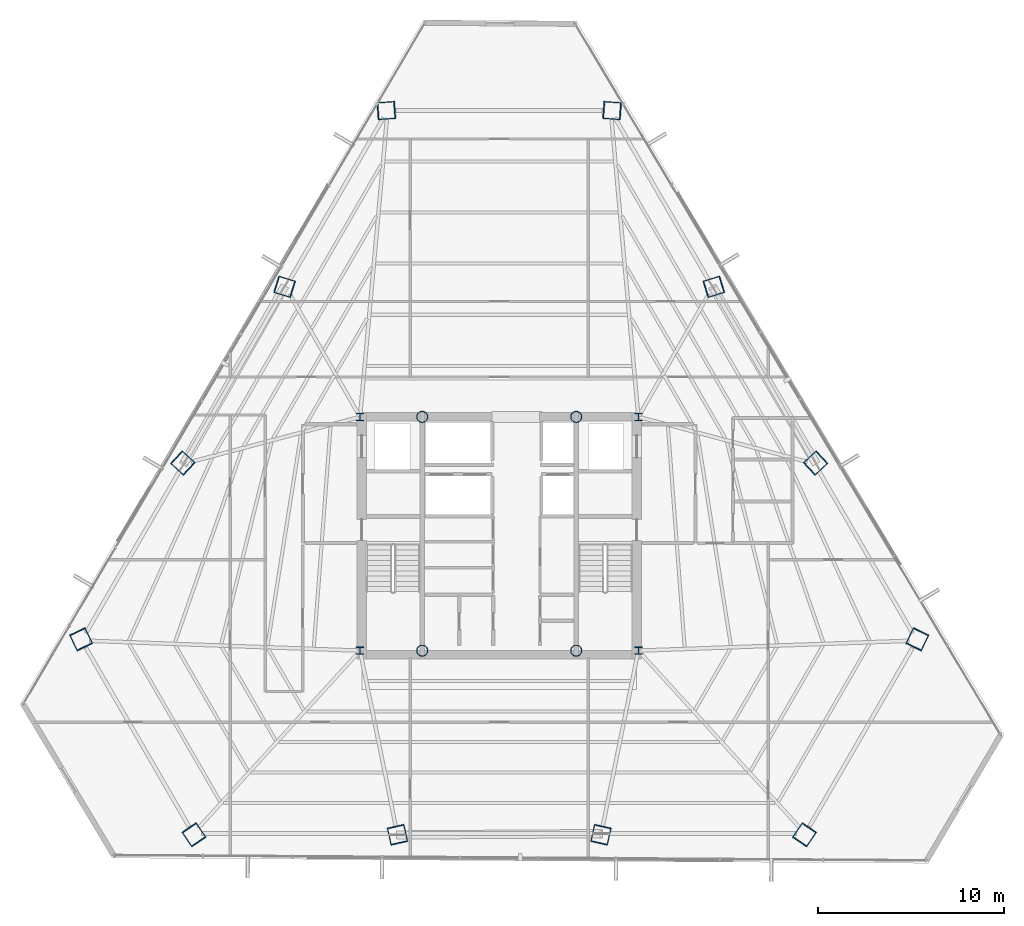
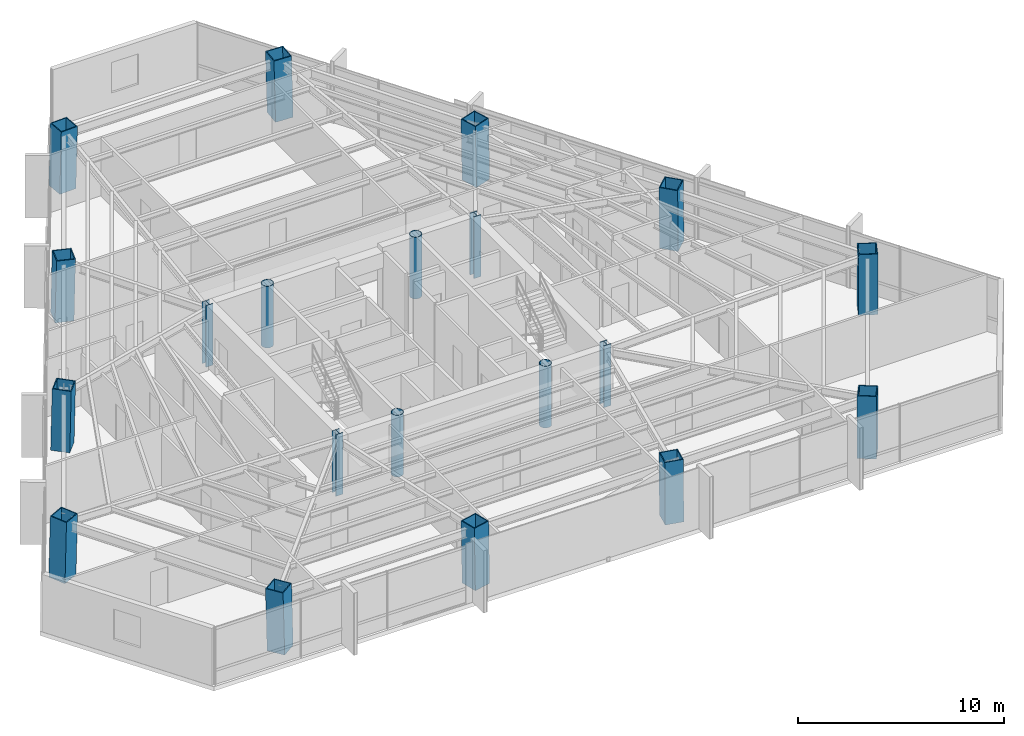
# One storey, part 1 of 41: 20 columns.
"""IFC4 building model written with IfcOpenShell, lengths in metres."""

from ifc_helpers import new_model, si_unit, direction, frame, origin, origin_2d, place, context, subcontext, project, spatial, hollow_rectangle, hollow_circle, i_section, extrude, source, transform, mapped, material, material_profile, profile_set, type_object, type_shapes, element, save


model = new_model("IFC4")

# Units and contexts
model_context = context("Model", 3, precision=1e-05, world=origin(), true_north=direction((0.0, 1.0)))
body_context = subcontext(model_context, "Body", "Model", "MODEL_VIEW")
ifc_project = project(units=[si_unit("LENGTHUNIT", "METRE"), si_unit("AREAUNIT", "SQUARE_METRE"), si_unit("VOLUMEUNIT", "CUBIC_METRE"), si_unit("PLANEANGLEUNIT", "RADIAN"), si_unit("MASSUNIT", "GRAM", prefix="KILO")], contexts=[model_context])

# Site, building, storey
site_placement = place(None, origin())
site = spatial("IfcSite", under=ifc_project, at=site_placement, CompositionType="ELEMENT")
building_placement = place(site_placement, origin())
building = spatial("IfcBuilding", under=site, at=building_placement, Name="Caelisora Broadcast Tower", CompositionType="ELEMENT")
storey_placement = place(building_placement, frame((0.0, 0.0, 162.14990234375)))
storey = spatial("IfcBuildingStorey", under=building, at=storey_placement, Name="L42", CompositionType="ELEMENT", Elevation=162.14990234375)

# Columns
ifc_material_1 = material(Name="Steel Grade 350 (AS/NZS 3679.2)", Category="steel")
ifc_material_profile_1 = material_profile(ifc_material_1, i_section(OverallWidth=0.39990234375, OverallDepth=0.39990234375, WebThickness=0.02001953125, FlangeThickness=0.031982421875, at=origin_2d()), Name="Steel Grade 350 (AS/NZS 3679.2)")
ifc_profile_set_1 = profile_set([ifc_material_profile_1], Name="Steel Grade 350 (AS/NZS 3679.2)")
column_type_1 = type_object("IfcColumnType", Name="CC02", PredefinedType="COLUMN", material=ifc_profile_set_1)
shared_shape_1 = source(origin(), body_context, "Body", "SweptSolid", [
    extrude(i_section(OverallWidth=0.39990234375, OverallDepth=0.39990234375, WebThickness=0.02001953125, FlangeThickness=0.031982421875, at=origin_2d()), origin(), (0.0, 0.0, 1.0), 3.650146484375),
])
type_shapes(column_type_1, [shared_shape_1])
for number, where, z_axis, x_axis, name in (
    (1, (30.5, 17.39990234375, 0.0), (0.0, 0.0, 1.0), (1.0, 0.0, 0.0), "L42 column CC02"),
    (2, (45.5, 17.39990234375, 0.0), (0.0, 0.0, 1.0), (1.0, 0.0, 0.0), "L42 column CC02"),
    (3, (45.5, 30.0, 0.0), (0.0, 0.0, 1.0), (1.0, 0.0, 0.0), "L42 column CC02"),
    (4, (30.5, 30.0, 0.0), (0.0, 0.0, 1.0), (1.0, 0.0, 0.0), "L42 column CC02"),
):
    element("IfcColumn", number, at=place(storey_placement, frame(where, z_axis=z_axis, x_axis=x_axis)), inside=storey, type_object=column_type_1, Name=name, PredefinedType="COLUMN", context=body_context, shape_type="MappedRepresentation", body=[
        mapped(shared_shape_1, transform((0.0, 0.0, 0.0), scale=1.0)),
    ])
ifc_material_2 = material(Name="Steel Grade 350 L15 (AS/NZS 3678)", Category="steel")
ifc_material_profile_2 = material_profile(ifc_material_2, hollow_circle(Radius=0.304931640625, WallThickness=0.02490234375, at=origin_2d()), Name="Steel Grade 350 L15 (AS/NZS 3678)")
ifc_profile_set_2 = profile_set([ifc_material_profile_2], Name="Steel Grade 350 L15 (AS/NZS 3678)")
column_type_2 = type_object("IfcColumnType", Name="CC06", PredefinedType="COLUMN", material=ifc_profile_set_2)
shared_shape_2 = source(origin(), body_context, "Body", "SweptSolid", [
    extrude(hollow_circle(Radius=0.304931640625, WallThickness=0.02490234375, at=origin_2d()), origin(), (0.0, 0.0, 1.0), 3.650146484375),
])
type_shapes(column_type_2, [shared_shape_2])
for number, where, z_axis, x_axis, name in (
    (5, (33.85009765625, 17.39990234375, 0.0), (0.0, 0.0, 1.0), (1.0, 0.0, 0.0), "L42 column CC06"),
    (6, (42.14990234375, 17.39990234375, 0.0), (0.0, 0.0, 1.0), (1.0, 0.0, 0.0), "L42 column CC06"),
    (7, (33.85009765625, 30.0, 0.0), (0.0, 0.0, 1.0), (1.0, 0.0, 0.0), "L42 column CC06"),
    (8, (42.14990234375, 30.0, 0.0), (0.0, 0.0, 1.0), (1.0, 0.0, 0.0), "L42 column CC06"),
):
    element("IfcColumn", number, at=place(storey_placement, frame(where, z_axis=z_axis, x_axis=x_axis)), inside=storey, type_object=column_type_2, Name=name, PredefinedType="COLUMN", context=body_context, shape_type="MappedRepresentation", body=[
        mapped(shared_shape_2, transform((0.0, 0.0, 0.0), scale=1.0)),
    ])
ifc_material_profile_3 = material_profile(ifc_material_2, hollow_rectangle(XDim=0.949951171875, YDim=0.949951171875, WallThickness=0.050048828125, at=origin_2d()), Name="Steel Grade 350 L15 (AS/NZS 3678)")
ifc_profile_set_3 = profile_set([ifc_material_profile_3], Name="Steel Grade 350 L15 (AS/NZS 3678)")
column_type_3 = type_object("IfcColumnType", Name="MC04", PredefinedType="COLUMN", material=ifc_profile_set_3)
shared_shape_3 = source(origin(), body_context, "Body", "SweptSolid", [
    extrude(hollow_rectangle(XDim=0.949951171875, YDim=0.949951171875, WallThickness=0.050048828125, at=origin_2d()), origin(), (0.0, 0.0, 1.0), 3.65087890625),
])
for number, where, z_axis, x_axis, name in (
    (9, (26.421142578125, 37.0146484375, 0.0), (0.01939269685, -0.00601842316, 0.999793829693), (0.296399214872, 0.955064136811, 0.0), "L42 column MC04"),
    (10, (20.939697265625, 27.520263671875, 0.0), (0.014845459728, -0.013775516685, 0.9997949027), (0.68019775991, 0.733028653883, 0.0), "L42 column MC04"),
    (11, (32.5185546875, 7.465087890625, 0.0), (-0.004480382638, 0.019793929266, 0.999794042058), (-0.975326687046, -0.220766513622, 0.0), "L42 column MC04"),
    (12, (43.4814453125, 7.465087890625, 0.0), (0.004480382638, 0.019793929266, 0.999794042058), (-0.975326687046, 0.220766513622, 0.0), "L42 column MC04"),
    (13, (55.060302734375, 27.520263671875, 0.0), (-0.014845459728, -0.013775516685, 0.9997949027), (0.68019775991, -0.733028653883, 0.0), "L42 column MC04"),
    (14, (49.578857421875, 37.0146484375, 0.0), (-0.01939269685, -0.00601842316, 0.999793829693), (0.296399214872, -0.955064136811, 0.0), "L42 column MC04"),
):
    element("IfcColumn", number, at=place(storey_placement, frame(where, z_axis=z_axis, x_axis=x_axis)), inside=storey, type_object=column_type_3, Name=name, PredefinedType="COLUMN", context=body_context, shape_type="MappedRepresentation", body=[
        mapped(shared_shape_3, transform((0.0, 0.0, 0.0), scale=1.0)),
    ])
shared_shape_4 = source(origin(), body_context, "Body", "SweptSolid", [
    extrude(hollow_rectangle(XDim=0.949951171875, YDim=0.949951171875, WallThickness=0.050048828125, at=origin_2d()), origin(), (0.0, 0.0, 1.0), 3.651123046875),
])
type_shapes(column_type_3, [shared_shape_3, shared_shape_4])
for number, where, z_axis, x_axis, name in (
    (15, (44.097412109375, 46.5087890625, 0.0), (-0.023871161178, 0.00173851594, 0.999713531581), (-0.07263675076, -0.997358462359, 0.0), "L42 column MC04"),
    (16, (31.902587890625, 46.5087890625, 0.0), (0.023871161178, 0.00173851594, 0.999713531581), (-0.07263675076, 0.997358462359, 0.0), "L42 column MC04"),
    (17, (15.4580078125, 18.026123046875, 0.0), (0.010431098089, -0.021530856313, 0.999713766245), (0.899947055326, 0.435999194506, 0.0), "L42 column MC04"),
    (18, (21.555419921875, 7.465087890625, 0.0), (-0.013440068782, 0.019792340097, 0.999713772949), (-0.827290216258, -0.561774775229, 0.0), "L42 column MC04"),
    (19, (54.444580078125, 7.465087890625, 0.0), (0.013440068782, 0.019792340097, 0.999713772949), (-0.827290216258, 0.561774775229, 0.0), "L42 column MC04"),
    (20, (60.5419921875, 18.026123046875, 0.0), (-0.010431098089, -0.021530856313, 0.999713766245), (0.899947055326, -0.435999194506, 0.0), "L42 column MC04"),
):
    element("IfcColumn", number, at=place(storey_placement, frame(where, z_axis=z_axis, x_axis=x_axis)), inside=storey, type_object=column_type_3, Name=name, PredefinedType="COLUMN", context=body_context, shape_type="MappedRepresentation", body=[
        mapped(shared_shape_4, transform((0.0, 0.0, 0.0), scale=1.0)),
    ])

save(model, "model.ifc")
